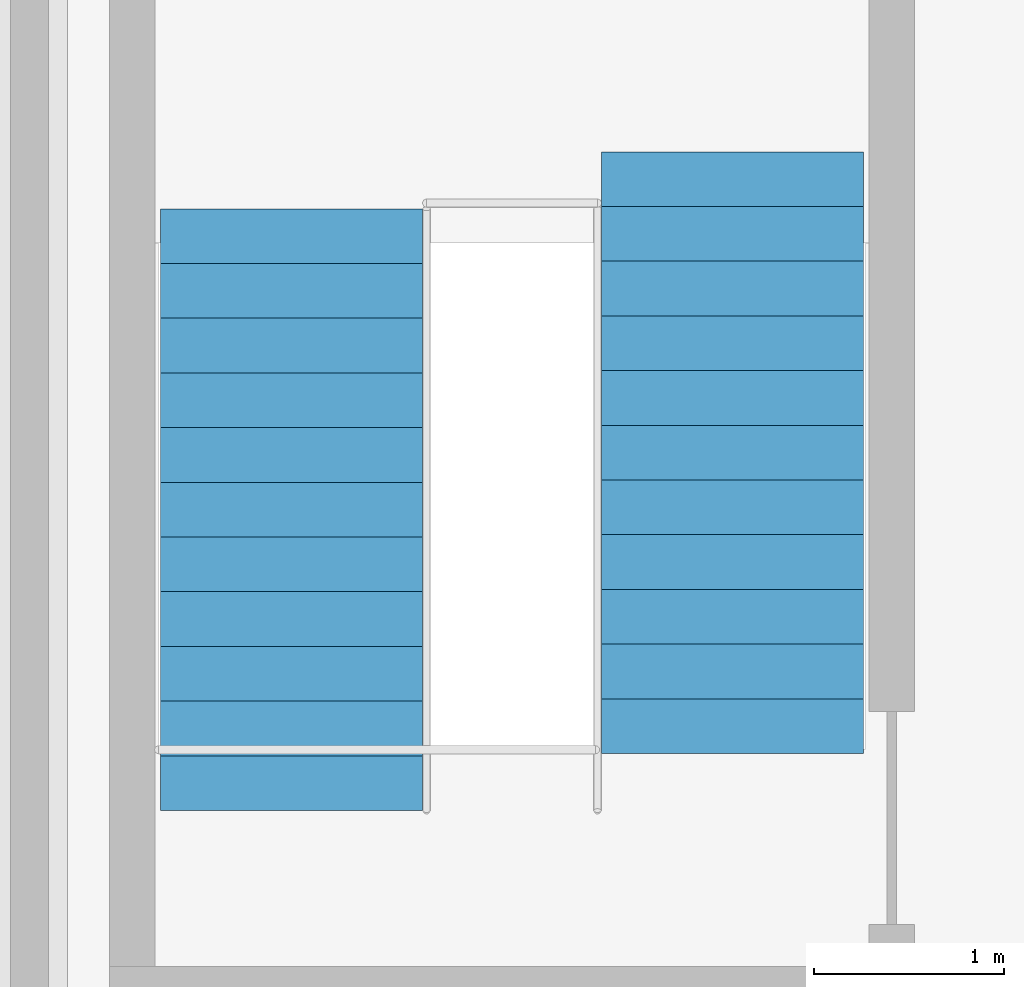
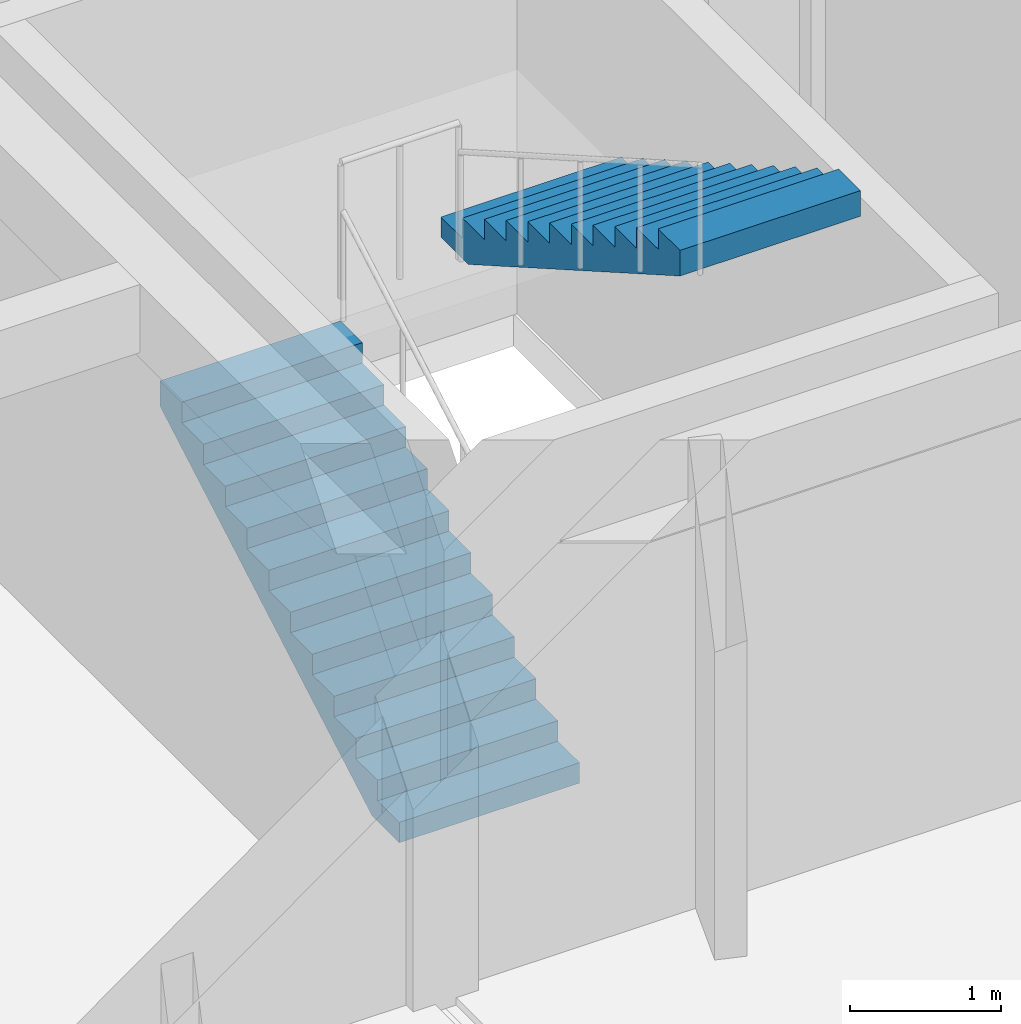
# One storey, part 37 of 40: 2 stair flights, 1 element without a shape of its own.
"""IFC4 building model written with IfcOpenShell, lengths in metres."""

from ifc_helpers import new_model, si_unit, direction, frame, origin, place, context, subcontext, project, spatial, polyline, outline, extrude, material, type_object, element, aggregate, save


model = new_model("IFC4")

# Units and contexts
model_context = context("Model", 3, precision=1e-05, world=origin(), true_north=direction((0.0, 1.0)))
body_context = subcontext(model_context, "Body", "Model", "MODEL_VIEW")
ifc_project = project(units=[si_unit("LENGTHUNIT", "METRE"), si_unit("AREAUNIT", "SQUARE_METRE"), si_unit("VOLUMEUNIT", "CUBIC_METRE"), si_unit("PLANEANGLEUNIT", "RADIAN"), si_unit("MASSUNIT", "GRAM", prefix="KILO")], contexts=[model_context])

# Site, building, storey
site_placement = place(None, origin())
site = spatial("IfcSite", under=ifc_project, at=site_placement, CompositionType="ELEMENT")
building_placement = place(site_placement, origin())
building = spatial("IfcBuilding", under=site, at=building_placement, Name="Kavelor Marine Aquarium", CompositionType="ELEMENT")
storey_placement = place(building_placement, frame((0.0, 0.0, 17.639892578125)))
storey = spatial("IfcBuildingStorey", under=building, at=storey_placement, Name="L04", CompositionType="ELEMENT", Elevation=17.639892578125)

# Stair, stair flights
ifc_material_1 = material(Name="Concrete C40/50", Category="concrete")
stair_type = type_object("IfcStairType", Name="ST-T5", PredefinedType="HALF_TURN_STAIR", material=ifc_material_1)
stair_placement = place(storey_placement, origin())
stair = element("IfcStair", 1, at=stair_placement, inside=storey, type_object=stair_type, Name="Exit Stair ST11 (L04)", PredefinedType="HALF_TURN_STAIR")
ifc_material_2 = material(Name="Concrete C40/50", Category="concrete")
stair_flight_type = type_object("IfcStairFlightType", Name="FLT-T5", PredefinedType="STRAIGHT", material=ifc_material_2)
stair_flight_1_placement = place(storey_placement, frame((141.3798828125, 69.159912109375, 0.0), z_axis=(0.0, 0.0, 1.0), x_axis=(0.0, 1.0, 0.0)))
stair_flight_1 = element("IfcStairFlight", 2, at=stair_flight_1_placement, type_object=stair_flight_type, Name="ST11 flight 1", NumberOfRisers=12, NumberOfTreads=11, PredefinedType="STRAIGHT", RiserHeight=0.165, TreadLength=0.288, context=body_context, shape_type="SweptSolid", body=[
    extrude(outline(polyline([(0.0, 0.0), (0.0, 0.1650390625), (0.2880859375, 0.1650390625), (0.2880859375, 0.330078125), (0.575927734375, 0.330078125), (0.575927734375, 0.4951171875), (0.864013671875, 0.4951171875), (0.864013671875, 0.659912109375), (1.152099609375, 0.659912109375), (1.152099609375, 0.824951171875), (1.43994140625, 0.824951171875), (1.43994140625, 0.989990234375), (1.72802734375, 0.989990234375), (1.72802734375, 1.155029296875), (2.01611328125, 1.155029296875), (2.01611328125, 1.320068359375), (2.303955078125, 1.320068359375), (2.303955078125, 1.485107421875), (2.592041015625, 1.485107421875), (2.592041015625, 1.64990234375), (2.8798828125, 1.64990234375), (2.8798828125, 1.81494140625), (3.16796875, 1.81494140625), (3.16796875, 1.97998046875), (3.16796875, 1.607666015625), (0.362060546875, 0.0), (0.0, 0.0)])), frame((0.0, 0.68994140625, 0.0), z_axis=(0.0, -1.0, 0.0), x_axis=(1.0, 0.0, 0.0)), (0.0, 0.0, 1.0), 1.3798828125),
])
stair_flight_2_placement = place(storey_placement, frame((143.699951171875, 72.6279296875, 1.980224609375), z_axis=(0.0, 0.0, 1.0), x_axis=(0.0, -1.0, 0.0)))
stair_flight_2 = element("IfcStairFlight", 3, at=stair_flight_2_placement, type_object=stair_flight_type, Name="ST11 flight 2", NumberOfRisers=12, NumberOfTreads=11, PredefinedType="STRAIGHT", RiserHeight=0.165, TreadLength=0.288, context=body_context, shape_type="SweptSolid", body=[
    extrude(outline(polyline([(0.0, 0.0), (0.0, 0.1650390625), (0.2880859375, 0.1650390625), (0.2880859375, 0.330078125), (0.575927734375, 0.330078125), (0.575927734375, 0.4951171875), (0.864013671875, 0.4951171875), (0.864013671875, 0.659912109375), (1.152099609375, 0.659912109375), (1.152099609375, 0.824951171875), (1.43994140625, 0.824951171875), (1.43994140625, 0.989990234375), (1.72802734375, 0.989990234375), (1.72802734375, 1.155029296875), (2.01611328125, 1.155029296875), (2.01611328125, 1.320068359375), (2.303955078125, 1.320068359375), (2.303955078125, 1.485107421875), (2.592041015625, 1.485107421875), (2.592041015625, 1.64990234375), (2.8798828125, 1.64990234375), (2.8798828125, 1.81494140625), (3.16796875, 1.81494140625), (3.16796875, 1.97998046875), (3.16796875, 1.607666015625), (0.362060546875, 0.0), (0.0, 0.0)])), frame((0.0, 0.68994140625, 0.0), z_axis=(0.0, -1.0, 0.0), x_axis=(1.0, 0.0, 0.0)), (0.0, 0.0, 1.0), 1.3798828125),
])
aggregate(stair, [stair_flight_1, stair_flight_2])

save(model, "model.ifc")
